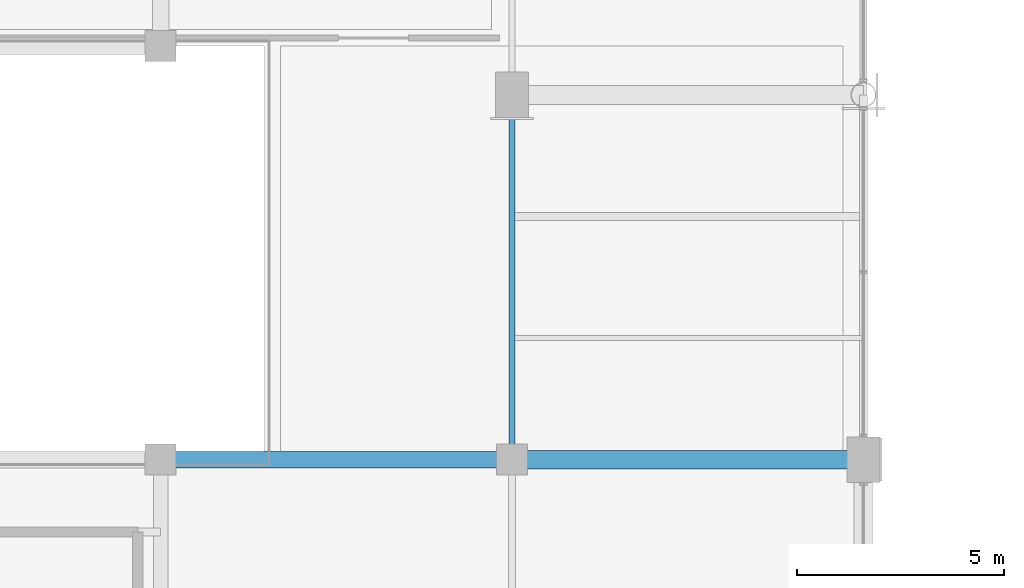
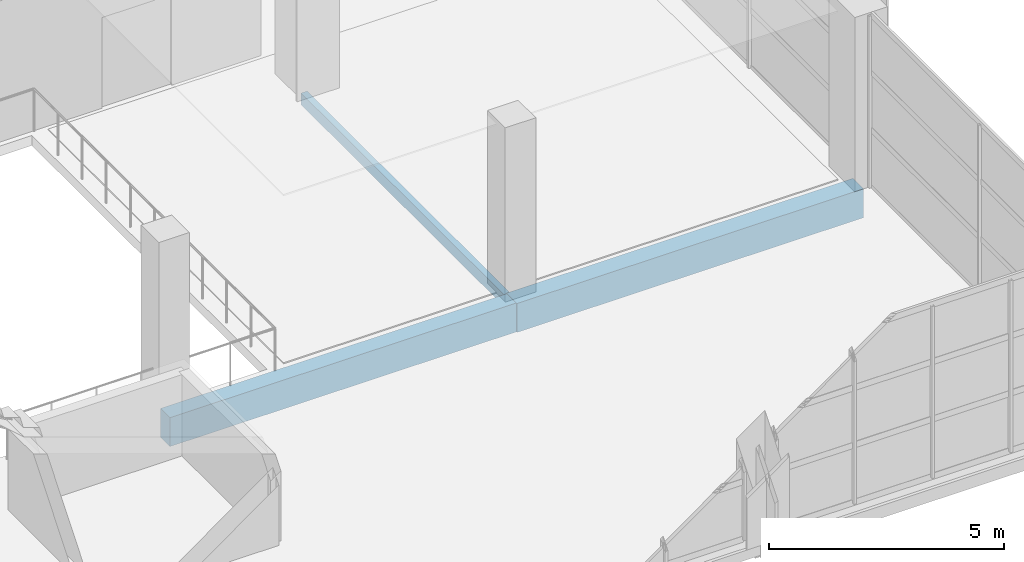
# One storey, part 26 of 112: 3 beams.
"""IFC4 building model written with IfcOpenShell, lengths in metres."""

from ifc_helpers import new_model, si_unit, direction, frame, origin, origin_2d, place, context, subcontext, project, spatial, rectangle, hollow_rectangle, extrude, material, material_profile, profile_set, type_object, element, save


model = new_model("IFC4")

# Units and contexts
model_context = context("Model", 3, precision=1e-05, world=origin(), true_north=direction((0.0, 1.0)))
body_context = subcontext(model_context, "Body", "Model", "MODEL_VIEW")
ifc_project = project(units=[si_unit("LENGTHUNIT", "METRE"), si_unit("AREAUNIT", "SQUARE_METRE"), si_unit("VOLUMEUNIT", "CUBIC_METRE"), si_unit("PLANEANGLEUNIT", "RADIAN"), si_unit("MASSUNIT", "GRAM", prefix="KILO")], contexts=[model_context])

# Site, building, storey
site_placement = place(None, origin())
site = spatial("IfcSite", under=ifc_project, at=site_placement, CompositionType="ELEMENT")
building_placement = place(site_placement, origin())
building = spatial("IfcBuilding", under=site, at=building_placement, Name="Solvikara Media Centre", CompositionType="ELEMENT")
storey_placement = place(building_placement, frame((0.0, 0.0, 5.39990234375)))
storey = spatial("IfcBuildingStorey", under=building, at=storey_placement, Name="L01", CompositionType="ELEMENT", Elevation=5.39990234375)

# Beams
ifc_material_1 = material(Name="Concrete fc' 35 MPa (C35/45)", Category="concrete")
ifc_material_profile_1 = material_profile(ifc_material_1, rectangle(XDim=0.39990234375, YDim=0.75, at=origin_2d()), Name="RC 400x750")
ifc_profile_set_1 = profile_set([ifc_material_profile_1], Name="Concrete fc' 35 MPa (C35/45)")
beam_type_1 = type_object("IfcBeamType", Name="BM-04", PredefinedType="BEAM", material=ifc_profile_set_1)
beam_1_placement = place(storey_placement, frame((59.5, 10.5, -0.635009765625), z_axis=(1.0, 0.0, 0.0), x_axis=(0.0, 1.0, 0.0)))
element("IfcBeam", 1, at=beam_1_placement, inside=storey, type_object=beam_type_1, Name="B-L01-X0460", PredefinedType="BEAM", context=body_context, shape_type="SweptSolid", body=[
    extrude(rectangle(XDim=0.39990234375, YDim=0.75, at=origin_2d()), origin(), (0.0, 0.0, 1.0), 8.5),
])
ifc_material_profile_2 = material_profile(ifc_material_1, rectangle(XDim=0.449951171875, YDim=0.75, at=origin_2d()), Name="RC 450x750")
ifc_profile_set_2 = profile_set([ifc_material_profile_2], Name="Concrete fc' 35 MPa (C35/45)")
beam_type_2 = type_object("IfcBeamType", Name="BM-05", PredefinedType="BEAM", material=ifc_profile_set_2)
beam_2_placement = place(storey_placement, frame((68.0, 10.5, -0.635009765625), z_axis=(1.0, 0.0, 0.0), x_axis=(0.0, 1.0, 0.0)))
element("IfcBeam", 2, at=beam_2_placement, inside=storey, type_object=beam_type_2, Name="B-L01-X0461", PredefinedType="BEAM", context=body_context, shape_type="SweptSolid", body=[
    extrude(rectangle(XDim=0.449951171875, YDim=0.75, at=origin_2d()), origin(), (0.0, 0.0, 1.0), 8.5),
])
ifc_material_2 = material(Name="Steel S355JR", Category="steel")
ifc_material_profile_3 = material_profile(ifc_material_2, hollow_rectangle(XDim=0.14990234375, YDim=0.300048828125, WallThickness=0.010009765625, at=origin_2d()), Name="RHS 300x150x10")
ifc_profile_set_3 = profile_set([ifc_material_profile_3], Name="Steel S355JR")
beam_type_3 = type_object("IfcBeamType", Name="BM-35", PredefinedType="BEAM", material=ifc_profile_set_3)
beam_3_placement = place(storey_placement, frame((68.0, 10.5, -0.411865234375), z_axis=(0.0, 1.0, 0.0), x_axis=(-1.0, 0.0, 0.0)))
element("IfcBeam", 3, at=beam_3_placement, inside=storey, type_object=beam_type_3, Name="B-L01-Y0593", PredefinedType="BEAM", context=body_context, shape_type="SweptSolid", body=[
    extrude(hollow_rectangle(XDim=0.14990234375, YDim=0.300048828125, WallThickness=0.010009765625, at=origin_2d()), origin(), (0.0, 0.0, 1.0), 8.823974609375),
])

save(model, "model.ifc")
